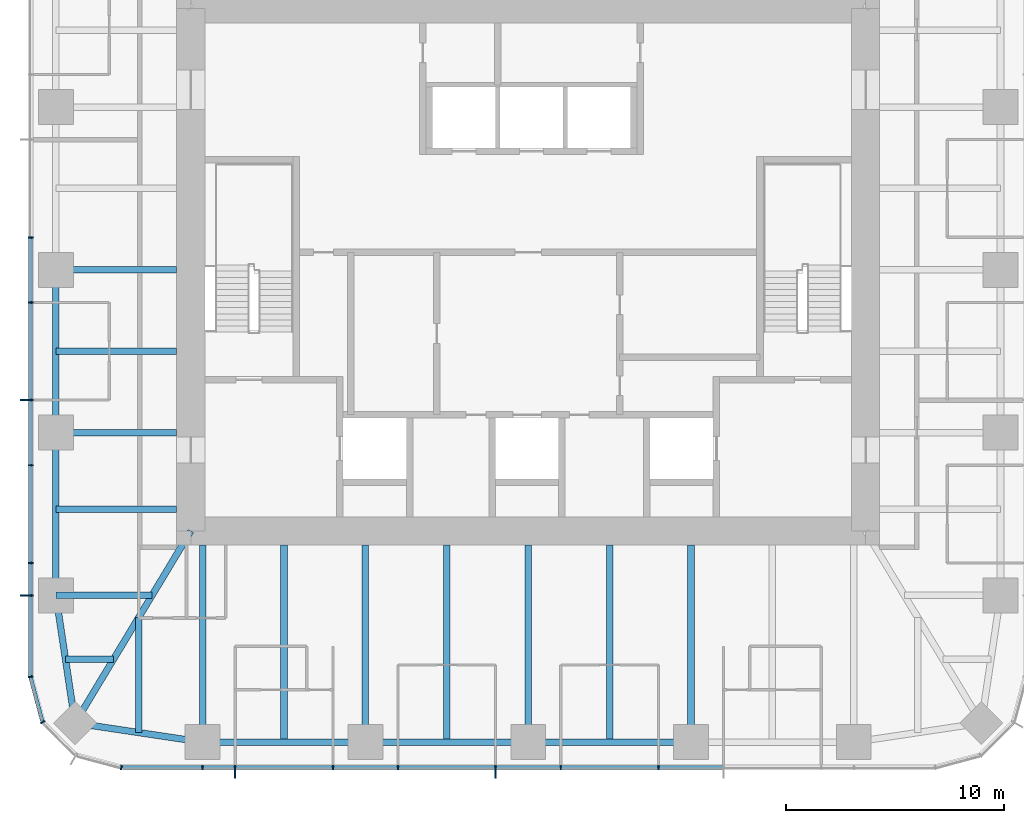
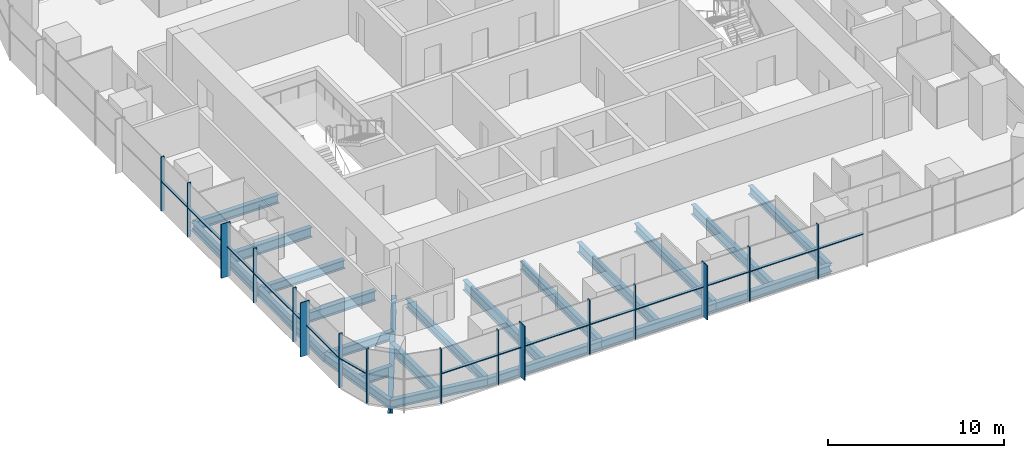
# One storey, part 2 of 13: 31 members, 22 beams, 3 elements without a shape of their own.
"""IFC4 building model written with IfcOpenShell, lengths in metres."""

from ifc_helpers import new_model, si_unit, direction, frame, origin, origin_2d, place, context, subcontext, project, spatial, rectangle, i_section, extrude, material, material_profile, profile_set, type_object, element, aggregate, save


model = new_model("IFC4")

# Units and contexts
model_context = context("Model", 3, precision=1e-05, world=origin(), true_north=direction((0.0, 1.0)))
body_context = subcontext(model_context, "Body", "Model", "MODEL_VIEW")
ifc_project = project(units=[si_unit("LENGTHUNIT", "METRE"), si_unit("AREAUNIT", "SQUARE_METRE"), si_unit("VOLUMEUNIT", "CUBIC_METRE"), si_unit("PLANEANGLEUNIT", "RADIAN"), si_unit("MASSUNIT", "GRAM", prefix="KILO")], contexts=[model_context])

# Site, building, storey
site_placement = place(None, origin())
site = spatial("IfcSite", under=ifc_project, at=site_placement, CompositionType="ELEMENT")
building_placement = place(site_placement, origin())
building = spatial("IfcBuilding", under=site, at=building_placement, Name="Khuree Lantern Residences", CompositionType="ELEMENT")
storey_placement = place(building_placement, frame((0.0, 0.0, 349.5)))
storey = spatial("IfcBuildingStorey", under=building, at=storey_placement, Name="L88", CompositionType="ELEMENT", Elevation=349.5)

# Beams
ifc_material_1 = material(Name="Steel S355", Category="steel")
ifc_material_profile_1 = material_profile(ifc_material_1, i_section(OverallWidth=0.300048828125, OverallDepth=0.68994140625, WebThickness=0.014404296875, FlangeThickness=0.027099609375, FilletRadius=0.027099609375, at=origin_2d()), Name="HE 700 A")
ifc_profile_set_1 = profile_set([ifc_material_profile_1], Name="Steel S355")
beam_type_1 = type_object("IfcBeamType", Name="B-45A SECONDARY BEAM HE 700 A", PredefinedType="BEAM", material=ifc_profile_set_1)
for number, where, z_axis, x_axis, name in (
    (1, (3.739990234375, -21.699951171875, -0.594970703125), (0.0, 1.0, 0.0), (-1.0, 0.0, 0.0), "Secondary beam S3"),
    (2, (-3.739990234375, -21.699951171875, -0.594970703125), (0.0, 1.0, 0.0), (-1.0, 0.0, 0.0), "Secondary beam S4"),
    (3, (-11.219970703125, -21.699951171875, -0.594970703125), (0.0, 1.0, 0.0), (-1.0, 0.0, 0.0), "Secondary beam S5"),
):
    element("IfcBeam", number, at=place(storey_placement, frame(where, z_axis=z_axis, x_axis=x_axis)), inside=storey, type_object=beam_type_1, Name=name, PredefinedType="BEAM", context=body_context, shape_type="SweptSolid", body=[
        extrude(i_section(OverallWidth=0.300048828125, OverallDepth=0.68994140625, WebThickness=0.014404296875, FlangeThickness=0.027099609375, FilletRadius=0.027099609375, at=origin_2d()), origin(), (0.0, 0.0, 1.0), 9.050048828125),
    ])
beam_1_placement = place(storey_placement, frame((-17.890625, -21.2607421875, -0.594970703125), z_axis=(0.0, 1.0, 0.0), x_axis=(-1.0, 0.0, 0.0)))
element("IfcBeam", 4, at=beam_1_placement, inside=storey, type_object=beam_type_1, Name="Secondary beam S6", PredefinedType="BEAM", context=body_context, shape_type="SweptSolid", body=[
    extrude(i_section(OverallWidth=0.300048828125, OverallDepth=0.68994140625, WebThickness=0.014404296875, FlangeThickness=0.027099609375, FilletRadius=0.027099609375, at=origin_2d()), origin(), (0.0, 0.0, 1.0), 5.297607421875),
])
beam_2_placement = place(storey_placement, frame((-21.2607421875, -17.890625, -0.594970703125), z_axis=(1.0, 0.0, 0.0), x_axis=(0.0, 1.0, 0.0)))
element("IfcBeam", 5, at=beam_2_placement, inside=storey, type_object=beam_type_1, Name="Secondary beam W1", PredefinedType="BEAM", context=body_context, shape_type="SweptSolid", body=[
    extrude(i_section(OverallWidth=0.300048828125, OverallDepth=0.68994140625, WebThickness=0.014404296875, FlangeThickness=0.027099609375, FilletRadius=0.027099609375, at=origin_2d()), origin(), (0.0, 0.0, 1.0), 2.207275390625),
])
for number, where, z_axis, x_axis, name in (
    (6, (-21.699951171875, -11.0, -0.594970703125), (1.0, 0.0, 0.0), (0.0, 1.0, 0.0), "Secondary beam W2"),
    (7, (-21.699951171875, -3.739990234375, -0.594970703125), (1.0, 0.0, 0.0), (0.0, 1.0, 0.0), "Secondary beam W3"),
):
    element("IfcBeam", number, at=place(storey_placement, frame(where, z_axis=z_axis, x_axis=x_axis)), inside=storey, type_object=beam_type_1, Name=name, PredefinedType="BEAM", context=body_context, shape_type="SweptSolid", body=[
        extrude(i_section(OverallWidth=0.300048828125, OverallDepth=0.68994140625, WebThickness=0.014404296875, FlangeThickness=0.027099609375, FilletRadius=0.027099609375, at=origin_2d()), origin(), (0.0, 0.0, 1.0), 5.550048828125),
    ])
ifc_material_profile_2 = material_profile(ifc_material_1, i_section(OverallWidth=0.300048828125, OverallDepth=0.590087890625, WebThickness=0.012939453125, FlangeThickness=0.02490234375, FilletRadius=0.027099609375, at=origin_2d()), Name="HE 600 A")
ifc_profile_set_2 = profile_set([ifc_material_profile_2], Name="Steel S355")
beam_type_2 = type_object("IfcBeamType", Name="E-45A SPANDREL BEAM HE 600 A", PredefinedType="SPANDREL", material=ifc_profile_set_2)
for number, where, z_axis, x_axis, name in (
    (8, (7.47998046875, -21.699951171875, -0.544921875), (-1.0, 0.0, 0.0), (0.0, -1.0, 0.0), "Spandrel beam S3"),
    (9, (0.0, -21.699951171875, -0.544921875), (-1.0, 0.0, 0.0), (0.0, -1.0, 0.0), "Spandrel beam S4"),
    (10, (-7.47998046875, -21.699951171875, -0.544921875), (-1.0, 0.0, 0.0), (0.0, -1.0, 0.0), "Spandrel beam S5"),
):
    element("IfcBeam", number, at=place(storey_placement, frame(where, z_axis=z_axis, x_axis=x_axis)), inside=storey, type_object=beam_type_2, Name=name, PredefinedType="SPANDREL", context=body_context, shape_type="SweptSolid", body=[
        extrude(i_section(OverallWidth=0.300048828125, OverallDepth=0.590087890625, WebThickness=0.012939453125, FlangeThickness=0.02490234375, FilletRadius=0.027099609375, at=origin_2d()), origin(), (0.0, 0.0, 1.0), 7.47998046875),
    ])
for number, where, z_axis, x_axis, name in (
    (11, (-14.9599609375, -21.699951171875, -0.544921875), (-0.988949643299, 0.148251822985, 0.0), (-0.148251822985, -0.988949643299, 0.0), "Spandrel beam S6"),
    (12, (-20.8212890625, -20.8212890625, -0.544921875), (-0.148251822985, 0.988949643299, 0.0), (-0.988949643299, -0.148251822985, 0.0), "Spandrel beam W1"),
):
    element("IfcBeam", number, at=place(storey_placement, frame(where, z_axis=z_axis, x_axis=x_axis)), inside=storey, type_object=beam_type_2, Name=name, PredefinedType="SPANDREL", context=body_context, shape_type="SweptSolid", body=[
        extrude(i_section(OverallWidth=0.300048828125, OverallDepth=0.590087890625, WebThickness=0.012939453125, FlangeThickness=0.02490234375, FilletRadius=0.027099609375, at=origin_2d()), origin(), (0.0, 0.0, 1.0), 5.9267578125),
    ])
for number, where, z_axis, x_axis, name in (
    (13, (-21.699951171875, -14.9599609375, -0.544921875), (0.0, 1.0, 0.0), (-1.0, 0.0, 0.0), "Spandrel beam W2"),
    (14, (-21.699951171875, -7.47998046875, -0.544921875), (0.0, 1.0, 0.0), (-1.0, 0.0, 0.0), "Spandrel beam W3"),
):
    element("IfcBeam", number, at=place(storey_placement, frame(where, z_axis=z_axis, x_axis=x_axis)), inside=storey, type_object=beam_type_2, Name=name, PredefinedType="SPANDREL", context=body_context, shape_type="SweptSolid", body=[
        extrude(i_section(OverallWidth=0.300048828125, OverallDepth=0.590087890625, WebThickness=0.012939453125, FlangeThickness=0.02490234375, FilletRadius=0.027099609375, at=origin_2d()), origin(), (0.0, 0.0, 1.0), 7.47998046875),
    ])

# Curtain wall, members
ifc_material_2 = material(Name="Bronze anodised aluminium", Category="aluminium")
curtain_wall_type_1 = type_object("IfcCurtainWallType", Name="CW-T1 TOWER FACE CURTAIN WALL", PredefinedType="USERDEFINED", material=ifc_material_2)
curtain_wall_1_placement = place(storey_placement, origin())
curtain_wall_1 = element("IfcCurtainWall", 15, at=curtain_wall_1_placement, inside=storey, type_object=curtain_wall_type_1, Name="L88 WEST FACE CURTAIN WALL", ObjectType="Stick-built curtain wall", PredefinedType="USERDEFINED")
ifc_material_profile_3 = material_profile(ifc_material_2, rectangle(XDim=0.06494140625, YDim=0.60009765625, at=origin_2d()), Name="F1 65X600")
ifc_profile_set_3 = profile_set([ifc_material_profile_3], Name="Bronze anodised aluminium")
member_type_1 = type_object("IfcMemberType", Name="F1 BRONZE FIN MULLION TOWER 65X600", PredefinedType="MULLION", material=ifc_profile_set_3)
member_1_placement = place(storey_placement, frame((-23.050048828125, -5.98388671875, 0.0), z_axis=(0.0, 0.0, 1.0), x_axis=(0.0, -1.0, 0.0)))
member_1 = element("IfcMember", 16, at=member_1_placement, type_object=member_type_1, Name="L88 WEST FACE FIN MULLION 39", PredefinedType="MULLION", context=body_context, shape_type="SweptSolid", body=[
    extrude(rectangle(XDim=0.06494140625, YDim=0.60009765625, at=origin_2d()), origin(), (0.0, 0.0, 1.0), 3.75),
])
member_2_placement = place(storey_placement, frame((-23.050048828125, -14.9599609375, 0.0), z_axis=(0.0, 0.0, 1.0), x_axis=(0.0, -1.0, 0.0)))
member_2 = element("IfcMember", 17, at=member_2_placement, type_object=member_type_1, Name="L88 WEST FACE FIN MULLION 42", PredefinedType="MULLION", context=body_context, shape_type="SweptSolid", body=[
    extrude(rectangle(XDim=0.06494140625, YDim=0.60009765625, at=origin_2d()), origin(), (0.0, 0.0, 1.0), 3.75),
])

curtain_wall_2_placement = place(storey_placement, origin())
curtain_wall_2 = element("IfcCurtainWall", 18, at=curtain_wall_2_placement, inside=storey, type_object=curtain_wall_type_1, Name="L88 SOUTH FACE CURTAIN WALL", ObjectType="Stick-built curtain wall", PredefinedType="USERDEFINED")
member_3_placement = place(storey_placement, frame((-13.464111328125, -23.050048828125, 0.0), z_axis=(0.0, 0.0, 1.0), x_axis=(1.0, 0.0, 0.0)))
member_3 = element("IfcMember", 19, at=member_3_placement, type_object=member_type_1, Name="L88 SOUTH FACE FIN MULLION 48", PredefinedType="MULLION", context=body_context, shape_type="SweptSolid", body=[
    extrude(rectangle(XDim=0.06494140625, YDim=0.60009765625, at=origin_2d()), origin(), (0.0, 0.0, 1.0), 3.75),
])
member_4_placement = place(storey_placement, frame((-1.49609375, -23.050048828125, 0.0), z_axis=(0.0, 0.0, 1.0), x_axis=(1.0, 0.0, 0.0)))
member_4 = element("IfcMember", 20, at=member_4_placement, type_object=member_type_1, Name="L88 SOUTH FACE FIN MULLION 51", PredefinedType="MULLION", context=body_context, shape_type="SweptSolid", body=[
    extrude(rectangle(XDim=0.06494140625, YDim=0.60009765625, at=origin_2d()), origin(), (0.0, 0.0, 1.0), 3.75),
])

# Beams
ifc_material_profile_4 = material_profile(ifc_material_1, i_section(OverallWidth=0.300048828125, OverallDepth=0.60009765625, WebThickness=0.015380859375, FlangeThickness=0.030029296875, FilletRadius=0.027099609375, at=origin_2d()), Name="HE 600 B")
ifc_profile_set_4 = profile_set([ifc_material_profile_4], Name="Steel S355")
beam_type_3 = type_object("IfcBeamType", Name="G-45 GIRDER HE 600 B", PredefinedType="BEAM", material=ifc_profile_set_4)
for number, where, z_axis, x_axis, name in (
    (21, (7.47998046875, -21.699951171875, -0.550048828125), (0.0, 1.0, 0.0), (-1.0, 0.0, 0.0), "Girder S2"),
    (22, (0.0, -21.699951171875, -0.550048828125), (0.0, 1.0, 0.0), (-1.0, 0.0, 0.0), "Girder S3"),
    (23, (-7.47998046875, -21.699951171875, -0.550048828125), (0.0, 1.0, 0.0), (-1.0, 0.0, 0.0), "Girder S4"),
    (24, (-14.9599609375, -21.699951171875, -0.550048828125), (0.0, 1.0, 0.0), (-1.0, 0.0, 0.0), "Girder S5"),
):
    element("IfcBeam", number, at=place(storey_placement, frame(where, z_axis=z_axis, x_axis=x_axis)), inside=storey, type_object=beam_type_3, Name=name, PredefinedType="BEAM", context=body_context, shape_type="SweptSolid", body=[
        extrude(i_section(OverallWidth=0.300048828125, OverallDepth=0.60009765625, WebThickness=0.015380859375, FlangeThickness=0.030029296875, FilletRadius=0.027099609375, at=origin_2d()), origin(), (0.0, 0.0, 1.0), 9.050048828125),
    ])
beam_3_placement = place(storey_placement, frame((-21.699951171875, -14.9599609375, -0.550048828125), z_axis=(1.0, 0.0, 0.0), x_axis=(0.0, 1.0, 0.0)))
element("IfcBeam", 25, at=beam_3_placement, inside=storey, type_object=beam_type_3, Name="Girder W1", PredefinedType="BEAM", context=body_context, shape_type="SweptSolid", body=[
    extrude(i_section(OverallWidth=0.300048828125, OverallDepth=0.60009765625, WebThickness=0.015380859375, FlangeThickness=0.030029296875, FilletRadius=0.027099609375, at=origin_2d()), origin(), (0.0, 0.0, 1.0), 4.414306640625),
])
for number, where, z_axis, x_axis, name in (
    (26, (-21.699951171875, -7.47998046875, -0.550048828125), (1.0, 0.0, 0.0), (0.0, 1.0, 0.0), "Girder W2"),
    (27, (-21.699951171875, 0.0, -0.550048828125), (1.0, 0.0, 0.0), (0.0, 1.0, 0.0), "Girder W3"),
):
    element("IfcBeam", number, at=place(storey_placement, frame(where, z_axis=z_axis, x_axis=x_axis)), inside=storey, type_object=beam_type_3, Name=name, PredefinedType="BEAM", context=body_context, shape_type="SweptSolid", body=[
        extrude(i_section(OverallWidth=0.300048828125, OverallDepth=0.60009765625, WebThickness=0.015380859375, FlangeThickness=0.030029296875, FilletRadius=0.027099609375, at=origin_2d()), origin(), (0.0, 0.0, 1.0), 5.550048828125),
    ])
ifc_material_profile_5 = material_profile(ifc_material_1, i_section(OverallWidth=0.300048828125, OverallDepth=1.0, WebThickness=0.01904296875, FlangeThickness=0.035888671875, FilletRadius=0.030029296875, at=origin_2d()), Name="HE 1000 B")
ifc_profile_set_5 = profile_set([ifc_material_profile_5], Name="Steel S355")
beam_type_4 = type_object("IfcBeamType", Name="GD-45A CORNER GIRDER HE 1000 B", PredefinedType="BEAM", material=ifc_profile_set_5)
beam_4_placement = place(storey_placement, frame((-20.8212890625, -20.8212890625, -0.75), z_axis=(0.516529577604, 0.856269347495, 0.0), x_axis=(-0.856269347495, 0.516529577604, 0.0)))
element("IfcBeam", 28, at=beam_4_placement, inside=storey, type_object=beam_type_4, Name="Corner girder SW", PredefinedType="BEAM", context=body_context, shape_type="SweptSolid", body=[
    extrude(i_section(OverallWidth=0.300048828125, OverallDepth=1.0, WebThickness=0.01904296875, FlangeThickness=0.035888671875, FilletRadius=0.030029296875, at=origin_2d()), origin(), (0.0, 0.0, 1.0), 10.302001953125),
])

# Member
ifc_material_profile_6 = material_profile(ifc_material_2, rectangle(XDim=0.06494140625, YDim=0.219970703125, at=origin_2d()), Name="M1 65X220")
ifc_profile_set_6 = profile_set([ifc_material_profile_6], Name="Bronze anodised aluminium")
member_type_2 = type_object("IfcMemberType", Name="M1 BRONZE MULLION TOWER 65X220", PredefinedType="MULLION", material=ifc_profile_set_6)
member_5_placement = place(storey_placement, frame((-22.860107421875, 1.49609375, 0.0), z_axis=(0.0, 0.0, 1.0), x_axis=(0.0, -1.0, 0.0)))
member_5 = element("IfcMember", 29, at=member_5_placement, type_object=member_type_2, Name="L88 WEST FACE MULLION 37", PredefinedType="MULLION", context=body_context, shape_type="SweptSolid", body=[
    extrude(rectangle(XDim=0.06494140625, YDim=0.219970703125, at=origin_2d()), origin(), (0.0, 0.0, 1.0), 3.75),
])

member_6_placement = place(storey_placement, frame((-22.860107421875, -1.49609375, 0.0), z_axis=(0.0, 0.0, 1.0), x_axis=(0.0, -1.0, 0.0)))
member_6 = element("IfcMember", 30, at=member_6_placement, type_object=member_type_2, Name="L88 WEST FACE MULLION 38", PredefinedType="MULLION", context=body_context, shape_type="SweptSolid", body=[
    extrude(rectangle(XDim=0.06494140625, YDim=0.219970703125, at=origin_2d()), origin(), (0.0, 0.0, 1.0), 3.75),
])

member_7_placement = place(storey_placement, frame((-22.860107421875, -8.97607421875, 0.0), z_axis=(0.0, 0.0, 1.0), x_axis=(0.0, -1.0, 0.0)))
member_7 = element("IfcMember", 31, at=member_7_placement, type_object=member_type_2, Name="L88 WEST FACE MULLION 40", PredefinedType="MULLION", context=body_context, shape_type="SweptSolid", body=[
    extrude(rectangle(XDim=0.06494140625, YDim=0.219970703125, at=origin_2d()), origin(), (0.0, 0.0, 1.0), 3.75),
])

member_8_placement = place(storey_placement, frame((-22.860107421875, -13.464111328125, 0.0), z_axis=(0.0, 0.0, 1.0), x_axis=(0.0, -1.0, 0.0)))
member_8 = element("IfcMember", 32, at=member_8_placement, type_object=member_type_2, Name="L88 WEST FACE MULLION 41", PredefinedType="MULLION", context=body_context, shape_type="SweptSolid", body=[
    extrude(rectangle(XDim=0.06494140625, YDim=0.219970703125, at=origin_2d()), origin(), (0.0, 0.0, 1.0), 3.75),
])

# Curtain wall, members
curtain_wall_type_2 = type_object("IfcCurtainWallType", Name="CW-T2 TOWER CORNER CURTAIN WALL", PredefinedType="USERDEFINED", material=ifc_material_2)
curtain_wall_3_placement = place(storey_placement, origin())
curtain_wall_3 = element("IfcCurtainWall", 33, at=curtain_wall_3_placement, inside=storey, type_object=curtain_wall_type_2, Name="L88 SOUTH-WEST CORNER CURTAIN WALL", ObjectType="Faceted corner curtain wall", PredefinedType="USERDEFINED")
member_9_placement = place(storey_placement, frame((-22.86181640625, -18.695068359375, 0.0), z_axis=(0.0, 0.0, 1.0), x_axis=(0.130526125236, -0.991444870192, 0.0)))
member_9 = element("IfcMember", 34, at=member_9_placement, type_object=member_type_2, Name="L88 SOUTH-WEST CORNER MULLION 43", PredefinedType="MULLION", context=body_context, shape_type="SweptSolid", body=[
    extrude(rectangle(XDim=0.06494140625, YDim=0.219970703125, at=origin_2d()), origin(), (0.0, 0.0, 1.0), 3.75),
])
member_10_placement = place(storey_placement, frame((-22.302734375, -20.780029296875, 0.0), z_axis=(0.0, 0.0, 1.0), x_axis=(0.49999994149, -0.866025437565, 0.0)))
member_10 = element("IfcMember", 35, at=member_10_placement, type_object=member_type_2, Name="L88 SOUTH-WEST CORNER MULLION 44", PredefinedType="MULLION", context=body_context, shape_type="SweptSolid", body=[
    extrude(rectangle(XDim=0.06494140625, YDim=0.219970703125, at=origin_2d()), origin(), (0.0, 0.0, 1.0), 3.75),
])

# Member
member_11_placement = place(storey_placement, frame((-18.695068359375, -22.86181640625, 0.0), z_axis=(0.0, 0.0, 1.0), x_axis=(0.991444870192, -0.130526125236, 0.0)))
member_11 = element("IfcMember", 36, at=member_11_placement, type_object=member_type_2, Name="L88 SOUTH FACE MULLION 46", PredefinedType="MULLION", context=body_context, shape_type="SweptSolid", body=[
    extrude(rectangle(XDim=0.06494140625, YDim=0.219970703125, at=origin_2d()), origin(), (0.0, 0.0, 1.0), 3.75),
])

member_12_placement = place(storey_placement, frame((-14.9599609375, -22.860107421875, 0.0), z_axis=(0.0, 0.0, 1.0), x_axis=(1.0, 0.0, 0.0)))
member_12 = element("IfcMember", 37, at=member_12_placement, type_object=member_type_2, Name="L88 SOUTH FACE MULLION 47", PredefinedType="MULLION", context=body_context, shape_type="SweptSolid", body=[
    extrude(rectangle(XDim=0.06494140625, YDim=0.219970703125, at=origin_2d()), origin(), (0.0, 0.0, 1.0), 3.75),
])

member_13_placement = place(storey_placement, frame((-8.97607421875, -22.860107421875, 0.0), z_axis=(0.0, 0.0, 1.0), x_axis=(1.0, 0.0, 0.0)))
member_13 = element("IfcMember", 38, at=member_13_placement, type_object=member_type_2, Name="L88 SOUTH FACE MULLION 49", PredefinedType="MULLION", context=body_context, shape_type="SweptSolid", body=[
    extrude(rectangle(XDim=0.06494140625, YDim=0.219970703125, at=origin_2d()), origin(), (0.0, 0.0, 1.0), 3.75),
])

member_14_placement = place(storey_placement, frame((-5.98388671875, -22.860107421875, 0.0), z_axis=(0.0, 0.0, 1.0), x_axis=(1.0, 0.0, 0.0)))
member_14 = element("IfcMember", 39, at=member_14_placement, type_object=member_type_2, Name="L88 SOUTH FACE MULLION 50", PredefinedType="MULLION", context=body_context, shape_type="SweptSolid", body=[
    extrude(rectangle(XDim=0.06494140625, YDim=0.219970703125, at=origin_2d()), origin(), (0.0, 0.0, 1.0), 3.75),
])

member_15_placement = place(storey_placement, frame((1.49609375, -22.860107421875, 0.0), z_axis=(0.0, 0.0, 1.0), x_axis=(1.0, 0.0, 0.0)))
member_15 = element("IfcMember", 40, at=member_15_placement, type_object=member_type_2, Name="L88 SOUTH FACE MULLION 52", PredefinedType="MULLION", context=body_context, shape_type="SweptSolid", body=[
    extrude(rectangle(XDim=0.06494140625, YDim=0.219970703125, at=origin_2d()), origin(), (0.0, 0.0, 1.0), 3.75),
])

member_16_placement = place(storey_placement, frame((5.98388671875, -22.860107421875, 0.0), z_axis=(0.0, 0.0, 1.0), x_axis=(1.0, 0.0, 0.0)))
member_16 = element("IfcMember", 41, at=member_16_placement, type_object=member_type_2, Name="L88 SOUTH FACE MULLION 53", PredefinedType="MULLION", context=body_context, shape_type="SweptSolid", body=[
    extrude(rectangle(XDim=0.06494140625, YDim=0.219970703125, at=origin_2d()), origin(), (0.0, 0.0, 1.0), 3.75),
])

ifc_material_profile_7 = material_profile(ifc_material_2, rectangle(XDim=0.179931640625, YDim=0.06494140625, at=origin_2d()), Name="T1 180X65")
ifc_profile_set_7 = profile_set([ifc_material_profile_7], Name="Bronze anodised aluminium")
member_type_3 = type_object("IfcMemberType", Name="TRANSOM T1 TOWER 180X65", PredefinedType="USERDEFINED", material=ifc_profile_set_7)
member_17_placement = place(storey_placement, frame((-22.8701171875, 1.46337890625, 2.050048828125), z_axis=(0.0, -1.0, 0.0), x_axis=(1.0, 0.0, 0.0)))
member_17 = element("IfcMember", 42, at=member_17_placement, type_object=member_type_3, Name="L88 WEST FACE TRANSOM 37.1", ObjectType="Transom", PredefinedType="USERDEFINED", context=body_context, shape_type="SweptSolid", body=[
    extrude(rectangle(XDim=0.179931640625, YDim=0.06494140625, at=origin_2d()), origin(), (0.0, 0.0, 1.0), 2.9267578125),
])

member_18_placement = place(storey_placement, frame((-22.8701171875, -1.528564453125, 2.050048828125), z_axis=(0.0, -1.0, 0.0), x_axis=(1.0, 0.0, 0.0)))
member_18 = element("IfcMember", 43, at=member_18_placement, type_object=member_type_3, Name="L88 WEST FACE TRANSOM 38.1", ObjectType="Transom", PredefinedType="USERDEFINED", context=body_context, shape_type="SweptSolid", body=[
    extrude(rectangle(XDim=0.179931640625, YDim=0.06494140625, at=origin_2d()), origin(), (0.0, 0.0, 1.0), 4.4228515625),
])

member_19_placement = place(storey_placement, frame((-22.8701171875, -6.0166015625, 2.050048828125), z_axis=(0.0, -1.0, 0.0), x_axis=(1.0, 0.0, 0.0)))
member_19 = element("IfcMember", 44, at=member_19_placement, type_object=member_type_3, Name="L88 WEST FACE TRANSOM 39.1", ObjectType="Transom", PredefinedType="USERDEFINED", context=body_context, shape_type="SweptSolid", body=[
    extrude(rectangle(XDim=0.179931640625, YDim=0.06494140625, at=origin_2d()), origin(), (0.0, 0.0, 1.0), 2.927001953125),
])

member_20_placement = place(storey_placement, frame((-22.8701171875, -9.008544921875, 2.050048828125), z_axis=(0.0, -1.0, 0.0), x_axis=(1.0, 0.0, 0.0)))
member_20 = element("IfcMember", 45, at=member_20_placement, type_object=member_type_3, Name="L88 WEST FACE TRANSOM 40.1", ObjectType="Transom", PredefinedType="USERDEFINED", context=body_context, shape_type="SweptSolid", body=[
    extrude(rectangle(XDim=0.179931640625, YDim=0.06494140625, at=origin_2d()), origin(), (0.0, 0.0, 1.0), 4.4228515625),
])

member_21_placement = place(storey_placement, frame((-22.8701171875, -13.49658203125, 2.050048828125), z_axis=(0.0, -1.0, 0.0), x_axis=(1.0, 0.0, 0.0)))
member_21 = element("IfcMember", 46, at=member_21_placement, type_object=member_type_3, Name="L88 WEST FACE TRANSOM 41.1", ObjectType="Transom", PredefinedType="USERDEFINED", context=body_context, shape_type="SweptSolid", body=[
    extrude(rectangle(XDim=0.179931640625, YDim=0.06494140625, at=origin_2d()), origin(), (0.0, 0.0, 1.0), 1.430908203125),
])

member_22_placement = place(storey_placement, frame((-22.8701171875, -14.992431640625, 2.050048828125), z_axis=(0.0, -1.0, 0.0), x_axis=(1.0, 0.0, 0.0)))
member_22 = element("IfcMember", 47, at=member_22_placement, type_object=member_type_3, Name="L88 WEST FACE TRANSOM 42.1", ObjectType="Transom", PredefinedType="USERDEFINED", context=body_context, shape_type="SweptSolid", body=[
    extrude(rectangle(XDim=0.179931640625, YDim=0.06494140625, at=origin_2d()), origin(), (0.0, 0.0, 1.0), 3.658935546875),
])

aggregate(curtain_wall_1, [member_5, member_6, member_1, member_7, member_8, member_2, member_17, member_18, member_19, member_20, member_21, member_22])

member_23_placement = place(storey_placement, frame((-22.8583984375, -18.7392578125, 2.050048828125), z_axis=(0.25876176006, -0.965941173949, 0.0), x_axis=(0.965941173949, 0.25876176006, 0.0)))
member_23 = element("IfcMember", 48, at=member_23_placement, type_object=member_type_3, Name="L88 SOUTH-WEST CORNER TRANSOM 43.1", ObjectType="Transom", PredefinedType="USERDEFINED", context=body_context, shape_type="SweptSolid", body=[
    extrude(rectangle(XDim=0.179931640625, YDim=0.06494140625, at=origin_2d()), origin(), (0.0, 0.0, 1.0), 2.0595703125),
])

aggregate(curtain_wall_3, [member_9, member_10, member_23])

member_24_placement = place(storey_placement, frame((-18.6513671875, -22.8701171875, 2.050048828125), z_axis=(1.0, 0.0, 0.0), x_axis=(0.0, 1.0, 0.0)))
member_24 = element("IfcMember", 49, at=member_24_placement, type_object=member_type_3, Name="L88 SOUTH FACE TRANSOM 46.1", ObjectType="Transom", PredefinedType="USERDEFINED", context=body_context, shape_type="SweptSolid", body=[
    extrude(rectangle(XDim=0.179931640625, YDim=0.06494140625, at=origin_2d()), origin(), (0.0, 0.0, 1.0), 3.658935546875),
])

member_25_placement = place(storey_placement, frame((-14.927490234375, -22.8701171875, 2.050048828125), z_axis=(1.0, 0.0, 0.0), x_axis=(0.0, 1.0, 0.0)))
member_25 = element("IfcMember", 50, at=member_25_placement, type_object=member_type_3, Name="L88 SOUTH FACE TRANSOM 47.1", ObjectType="Transom", PredefinedType="USERDEFINED", context=body_context, shape_type="SweptSolid", body=[
    extrude(rectangle(XDim=0.179931640625, YDim=0.06494140625, at=origin_2d()), origin(), (0.0, 0.0, 1.0), 1.430908203125),
])

member_26_placement = place(storey_placement, frame((-13.431396484375, -22.8701171875, 2.050048828125), z_axis=(1.0, 0.0, 0.0), x_axis=(0.0, 1.0, 0.0)))
member_26 = element("IfcMember", 51, at=member_26_placement, type_object=member_type_3, Name="L88 SOUTH FACE TRANSOM 48.1", ObjectType="Transom", PredefinedType="USERDEFINED", context=body_context, shape_type="SweptSolid", body=[
    extrude(rectangle(XDim=0.179931640625, YDim=0.06494140625, at=origin_2d()), origin(), (0.0, 0.0, 1.0), 4.4228515625),
])

member_27_placement = place(storey_placement, frame((-8.943603515625, -22.8701171875, 2.050048828125), z_axis=(1.0, 0.0, 0.0), x_axis=(0.0, 1.0, 0.0)))
member_27 = element("IfcMember", 52, at=member_27_placement, type_object=member_type_3, Name="L88 SOUTH FACE TRANSOM 49.1", ObjectType="Transom", PredefinedType="USERDEFINED", context=body_context, shape_type="SweptSolid", body=[
    extrude(rectangle(XDim=0.179931640625, YDim=0.06494140625, at=origin_2d()), origin(), (0.0, 0.0, 1.0), 2.927001953125),
])

member_28_placement = place(storey_placement, frame((-5.951416015625, -22.8701171875, 2.050048828125), z_axis=(1.0, 0.0, 0.0), x_axis=(0.0, 1.0, 0.0)))
member_28 = element("IfcMember", 53, at=member_28_placement, type_object=member_type_3, Name="L88 SOUTH FACE TRANSOM 50.1", ObjectType="Transom", PredefinedType="USERDEFINED", context=body_context, shape_type="SweptSolid", body=[
    extrude(rectangle(XDim=0.179931640625, YDim=0.06494140625, at=origin_2d()), origin(), (0.0, 0.0, 1.0), 4.4228515625),
])

member_29_placement = place(storey_placement, frame((-1.46337890625, -22.8701171875, 2.050048828125), z_axis=(1.0, 0.0, 0.0), x_axis=(0.0, 1.0, 0.0)))
member_29 = element("IfcMember", 54, at=member_29_placement, type_object=member_type_3, Name="L88 SOUTH FACE TRANSOM 51.1", ObjectType="Transom", PredefinedType="USERDEFINED", context=body_context, shape_type="SweptSolid", body=[
    extrude(rectangle(XDim=0.179931640625, YDim=0.06494140625, at=origin_2d()), origin(), (0.0, 0.0, 1.0), 2.9267578125),
])

member_30_placement = place(storey_placement, frame((1.528564453125, -22.8701171875, 2.050048828125), z_axis=(1.0, 0.0, 0.0), x_axis=(0.0, 1.0, 0.0)))
member_30 = element("IfcMember", 55, at=member_30_placement, type_object=member_type_3, Name="L88 SOUTH FACE TRANSOM 52.1", ObjectType="Transom", PredefinedType="USERDEFINED", context=body_context, shape_type="SweptSolid", body=[
    extrude(rectangle(XDim=0.179931640625, YDim=0.06494140625, at=origin_2d()), origin(), (0.0, 0.0, 1.0), 4.4228515625),
])

member_31_placement = place(storey_placement, frame((6.0166015625, -22.8701171875, 2.050048828125), z_axis=(1.0, 0.0, 0.0), x_axis=(0.0, 1.0, 0.0)))
member_31 = element("IfcMember", 56, at=member_31_placement, type_object=member_type_3, Name="L88 SOUTH FACE TRANSOM 53.1", ObjectType="Transom", PredefinedType="USERDEFINED", context=body_context, shape_type="SweptSolid", body=[
    extrude(rectangle(XDim=0.179931640625, YDim=0.06494140625, at=origin_2d()), origin(), (0.0, 0.0, 1.0), 2.927001953125),
])

aggregate(curtain_wall_2, [member_11, member_12, member_3, member_13, member_14, member_4, member_15, member_16, member_24, member_25, member_26, member_27, member_28, member_29, member_30, member_31])

save(model, "model.ifc")
